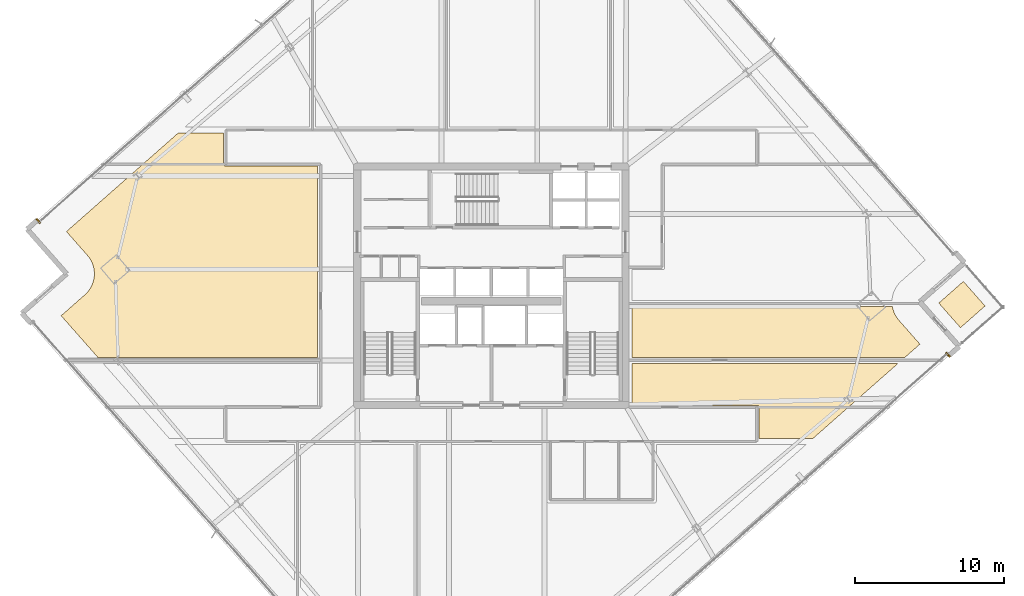
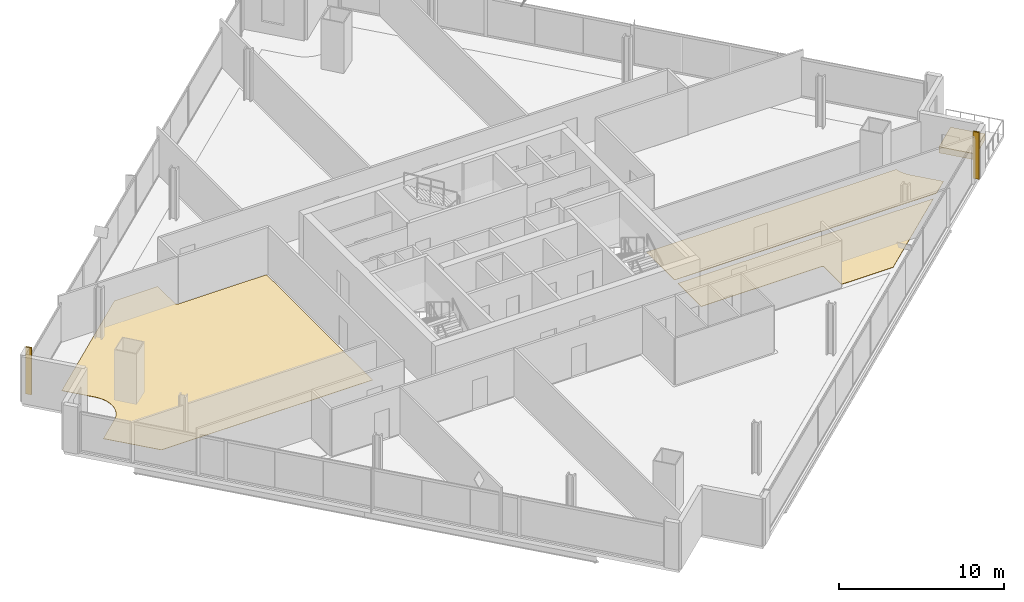
# One storey, part 32 of 34: 6 coverings.
"""IFC4 building model written with IfcOpenShell, lengths in metres."""

from ifc_helpers import new_model, si_unit, direction, frame, origin, origin_2d, place, context, subcontext, project, spatial, polyline, rectangle, outline, extrude, source, transform, mapped, material, layer, layer_set, type_object, element, save


model = new_model("IFC4")

# Units and contexts
model_context = context("Model", 3, precision=1e-05, world=origin(), true_north=direction((0.0, 1.0)))
body_context = subcontext(model_context, "Body", "Model", "MODEL_VIEW")
ifc_project = project(units=[si_unit("LENGTHUNIT", "METRE"), si_unit("AREAUNIT", "SQUARE_METRE"), si_unit("VOLUMEUNIT", "CUBIC_METRE"), si_unit("PLANEANGLEUNIT", "RADIAN"), si_unit("MASSUNIT", "GRAM", prefix="KILO")], contexts=[model_context])

# Site, building, storey
site_placement = place(None, origin())
site = spatial("IfcSite", under=ifc_project, at=site_placement, CompositionType="ELEMENT")
building_placement = place(site_placement, origin())
building = spatial("IfcBuilding", under=site, at=building_placement, Name="Haldenkirk Collegiate Tower", CompositionType="ELEMENT")
storey_placement = place(building_placement, frame((0.0, 0.0, 166.949951171875)))
storey = spatial("IfcBuildingStorey", under=building, at=storey_placement, Name="L41", CompositionType="ELEMENT", Elevation=166.949951171875)

# Coverings
ifc_material_1 = material(Name="Polished collegiate terrazzo", Category="concrete")
ifc_layer_1 = layer(ifc_material_1, 0.02490234375)
ifc_layer_set_1 = layer_set([ifc_layer_1], Name="Polished collegiate terrazzo")
covering_type_1 = type_object("IfcCoveringType", Name="COV-FLOOR-TERRAZZO", PredefinedType="FLOORING", material=ifc_layer_set_1)
covering_1_placement = place(storey_placement, origin())
element("IfcCovering", 1, at=covering_1_placement, inside=storey, type_object=covering_type_1, Name="L41 academic room finish 10", PredefinedType="FLOORING", context=body_context, shape_type="SweptSolid", body=[
    extrude(outline(polyline([(57.57275390625, 15.75), (53.969970703125, 15.75), (53.969970703125, 17.85009765625), (53.969482421875, 17.86181640625), (53.9677734375, 17.873291015625), (53.96484375, 17.884765625), (53.9609375, 17.89599609375), (53.955810546875, 17.906494140625), (53.94970703125, 17.916748046875), (53.94287109375, 17.926025390625), (53.934814453125, 17.934814453125), (53.926025390625, 17.94287109375), (53.916748046875, 17.94970703125), (53.906494140625, 17.955810546875), (53.89599609375, 17.9609375), (53.884765625, 17.96484375), (53.873291015625, 17.9677734375), (53.86181640625, 17.969482421875), (53.85009765625, 17.969970703125), (45.449951171875, 17.969970703125), (45.449951171875, 20.800048828125), (63.30078125, 20.800048828125), (57.57275390625, 15.75)])), origin(), (0.0, 0.0, 1.0), 0.025146484375),
])
ifc_material_2 = material(Name="Engineered collegiate oak acoustic flooring", Category="wood")
ifc_layer_2 = layer(ifc_material_2, 0.02197265625)
ifc_layer_set_2 = layer_set([ifc_layer_2], Name="Engineered collegiate oak acoustic flooring")
covering_type_2 = type_object("IfcCoveringType", Name="COV-FLOOR-TIMBER", PredefinedType="FLOORING", material=ifc_layer_set_2)
covering_2_placement = place(storey_placement, origin())
element("IfcCovering", 2, at=covering_2_placement, inside=storey, type_object=covering_type_2, Name="L41 academic room finish 09", PredefinedType="FLOORING", context=body_context, shape_type="SweptSolid", body=[
    extrude(outline(polyline([(8.734375, 25.398681640625), (8.73876953125, 25.402587890625), (8.86181640625, 25.522216796875), (8.869873046875, 25.531005859375), (8.98046875, 25.662109375), (8.987548828125, 25.671630859375), (9.0849609375, 25.81298828125), (9.09130859375, 25.822998046875), (9.17431640625, 25.973388671875), (9.179443359375, 25.98388671875), (9.247314453125, 26.1416015625), (9.25146484375, 26.152587890625), (9.303466796875, 26.31640625), (9.306396484375, 26.32763671875), (9.34228515625, 26.49560546875), (9.344482421875, 26.50732421875), (9.363525390625, 26.677978515625), (9.3642578125, 26.689697265625), (9.36669921875, 26.861328125), (9.3662109375, 26.873291015625), (9.351806640625, 27.04443359375), (9.35009765625, 27.05615234375), (9.31884765625, 27.224853515625), (9.316162109375, 27.236328125), (9.268798828125, 27.4013671875), (9.264892578125, 27.41259765625), (9.201416015625, 27.572021484375), (9.1962890625, 27.582763671875), (9.11767578125, 27.7353515625), (9.11181640625, 27.74560546875), (9.018310546875, 27.8896484375), (9.01123046875, 27.8994140625), (8.904296875, 28.033447265625), (8.900390625, 28.0380859375), (7.49169921875, 29.6357421875), (14.994140625, 36.25), (18.030029296875, 36.25), (18.030029296875, 34.14990234375), (18.030517578125, 34.13818359375), (18.0322265625, 34.126708984375), (18.03515625, 34.115234375), (18.0390625, 34.10400390625), (18.044189453125, 34.093505859375), (18.05029296875, 34.083251953125), (18.05712890625, 34.073974609375), (18.065185546875, 34.065185546875), (18.073974609375, 34.05712890625), (18.083251953125, 34.05029296875), (18.093505859375, 34.044189453125), (18.10400390625, 34.0390625), (18.115234375, 34.03515625), (18.126708984375, 34.0322265625), (18.13818359375, 34.030517578125), (18.14990234375, 34.030029296875), (24.35009765625, 34.030029296875), (24.35009765625, 21.199951171875), (9.59619140625, 21.199951171875), (7.13671875, 23.989990234375), (8.734375, 25.398681640625)])), origin(), (0.0, 0.0, 1.0), 0.02197265625),
])
covering_3_placement = place(storey_placement, origin())
element("IfcCovering", 3, at=covering_3_placement, inside=storey, type_object=covering_type_2, Name="L41 academic room finish 11", PredefinedType="FLOORING", context=body_context, shape_type="SweptSolid", body=[
    extrude(outline(polyline([(62.909423828125, 24.60009765625), (62.92919921875, 24.49365234375), (62.931884765625, 24.482177734375), (62.9794921875, 24.317138671875), (62.983154296875, 24.30615234375), (63.046630859375, 24.146484375), (63.051513671875, 24.135986328125), (63.130615234375, 23.9833984375), (63.136474609375, 23.97314453125), (63.229736328125, 23.8291015625), (63.23681640625, 23.8193359375), (63.34375, 23.685302734375), (63.34765625, 23.6806640625), (64.756103515625, 22.0830078125), (63.754638671875, 21.199951171875), (45.449951171875, 21.199951171875), (45.449951171875, 24.60009765625), (62.909423828125, 24.60009765625)])), origin(), (0.0, 0.0, 1.0), 0.02197265625),
])
ifc_material_3 = material(Name="Precast concrete f'c 40 MPa", Category="concrete")
ifc_layer_3 = layer(ifc_material_3, 0.449951171875)
ifc_layer_set_3 = layer_set([ifc_layer_3], Name="Precast concrete f'c 40 MPa")
covering_type_3 = type_object("IfcCoveringType", Name="COV-PLANTER-450", PredefinedType="USERDEFINED", material=ifc_layer_set_3)
covering_4_placement = place(storey_placement, origin())
element("IfcCovering", 4, at=covering_4_placement, inside=storey, type_object=covering_type_3, Name="L41 planted garden planter bed", ObjectType="PLANTER", PredefinedType="USERDEFINED", context=body_context, shape_type="SweptSolid", body=[
    extrude(outline(polyline([(67.4755859375, 23.187255859375), (66.0205078125, 24.83740234375), (67.6708984375, 26.292236328125), (69.125732421875, 24.64208984375), (67.4755859375, 23.187255859375)])), origin(), (0.0, 0.0, 1.0), 0.449951171875),
])
ifc_material_4 = material(Name="Anodised architectural bronze aluminium", Category="aluminium")
ifc_layer_4 = layer(ifc_material_4, 0.06005859375)
ifc_layer_set_4 = layer_set([ifc_layer_4], Name="Anodised architectural bronze aluminium")
covering_type_4 = type_object("IfcCoveringType", Name="COV-CLAD-BRONZE-60", PredefinedType="CLADDING", material=ifc_layer_set_4)
shared_shape = source(origin(), body_context, "Body", "SweptSolid", [
    extrude(rectangle(XDim=0.10009765625, YDim=0.3798828125, at=origin_2d()), origin(), (0.0, 0.0, 1.0), 3.4599609375),
])
for number, where, z_axis, x_axis, name in (
    (5, (66.638427734375, 21.369384765625, 0.0), (0.0, 0.0, 1.0), (-0.75011106963, -0.661311865324, 0.0), "L41 recessed curtain-wall bronze jamb closure SJL"),
    (6, (5.609619140625, 30.349365234375, 0.0), (0.0, 0.0, 1.0), (0.75011106963, 0.661311865324, 0.0), "L41 recessed curtain-wall bronze jamb closure NJL"),
):
    element("IfcCovering", number, at=place(storey_placement, frame(where, z_axis=z_axis, x_axis=x_axis)), inside=storey, type_object=covering_type_4, Name=name, PredefinedType="CLADDING", context=body_context, shape_type="MappedRepresentation", body=[
        mapped(shared_shape, transform((0.0, 0.0, 0.0), x_axis=(1.0, 0.0, 0.0), y_axis=(0.0, 1.0, 0.0), z_axis=(0.0, 0.0, 1.0), scale=1.0)),
    ])

save(model, "model.ifc")
